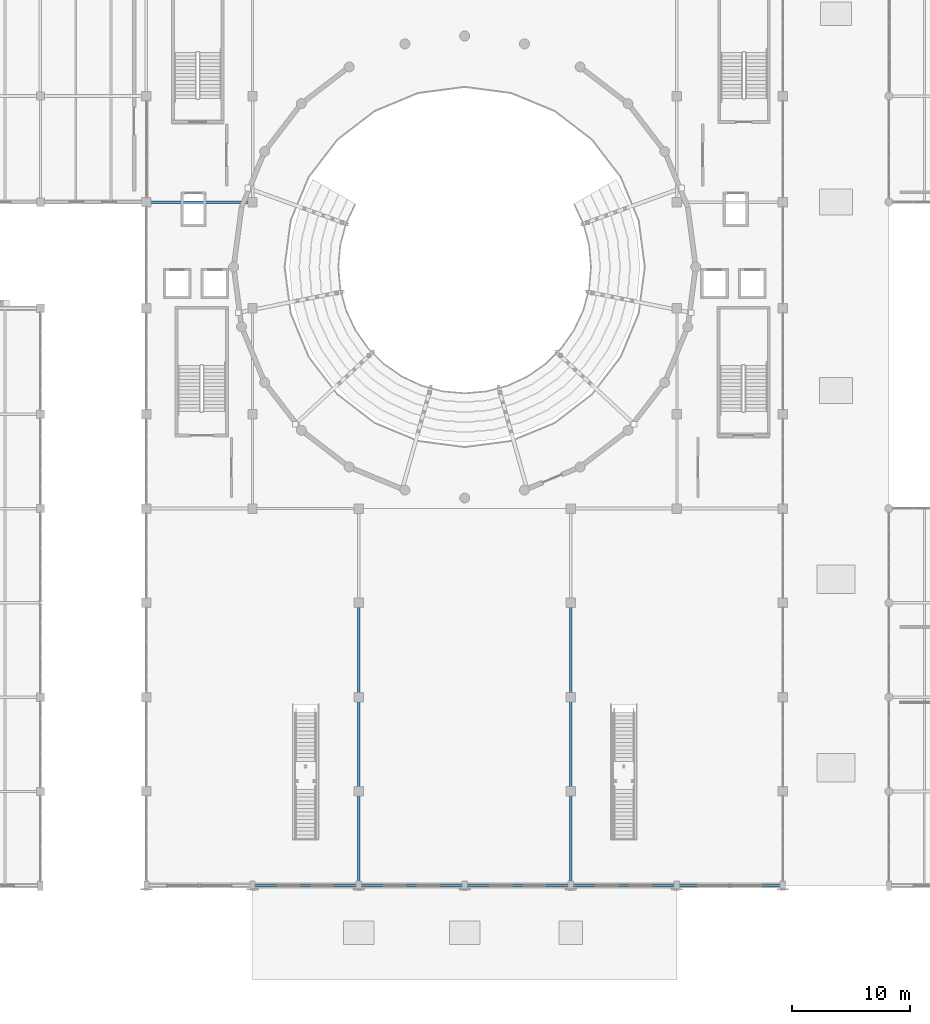
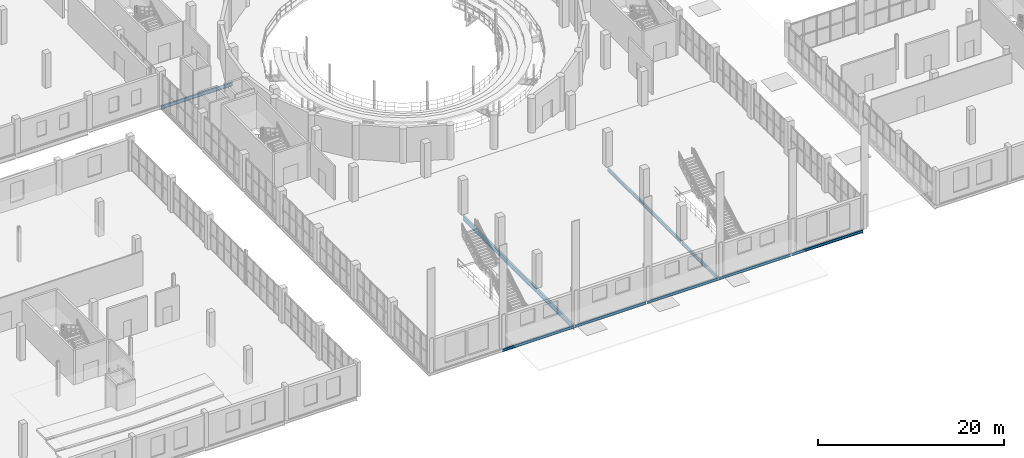
# One storey, part 30 of 93: 12 beams.
"""IFC4 building model written with IfcOpenShell, lengths in metres."""

from ifc_helpers import new_model, si_unit, direction, frame, origin, origin_2d, place, context, subcontext, project, spatial, i_section, extrude, material, material_profile, profile_set, type_object, element, save


model = new_model("IFC4")

# Units and contexts
model_context = context("Model", 3, precision=1e-05, world=origin(), true_north=direction((0.0, 1.0)))
body_context = subcontext(model_context, "Body", "Model", "MODEL_VIEW")
ifc_project = project(units=[si_unit("LENGTHUNIT", "METRE"), si_unit("AREAUNIT", "SQUARE_METRE"), si_unit("VOLUMEUNIT", "CUBIC_METRE"), si_unit("PLANEANGLEUNIT", "RADIAN"), si_unit("MASSUNIT", "GRAM", prefix="KILO")], contexts=[model_context])

# Site, building, storey
site_placement = place(None, origin())
site = spatial("IfcSite", under=ifc_project, at=site_placement, CompositionType="ELEMENT")
building_placement = place(site_placement, origin())
building = spatial("IfcBuilding", under=site, at=building_placement, Name="Marnock Terrace Opera House", CompositionType="ELEMENT")
storey_placement = place(building_placement, frame((0.0, 0.0, 5.39990234375)))
storey = spatial("IfcBuildingStorey", under=building, at=storey_placement, Name="L01", CompositionType="ELEMENT", Elevation=5.39990234375)

# Beams
ifc_material = material(Name="Steel Grade 350 (AS/NZS 3679.1)", Category="steel")
ifc_material_profile_1 = material_profile(ifc_material, i_section(OverallWidth=0.19091796875, OverallDepth=0.46044921875, WebThickness=0.010009765625, FlangeThickness=0.01611328125, FilletRadius=0.011474609375, at=origin_2d()))
ifc_profile_set_1 = profile_set([ifc_material_profile_1], Name="Steel Grade 350 (AS/NZS 3679.1)")
beam_type_1 = type_object("IfcBeamType", Name="BM-GIRD-460A", PredefinedType="BEAM", material=ifc_profile_set_1)
beam_placement = place(storey_placement, frame((55.050048828125, 66.0, -0.510009765625), z_axis=(1.0, 0.0, 0.0), x_axis=(0.0, 1.0, 0.0)))
element("IfcBeam", 1, at=beam_placement, inside=storey, type_object=beam_type_1, Name="L01 girder (55.0..64.0, Y=66.0)", PredefinedType="BEAM", context=body_context, shape_type="SweptSolid", body=[
    extrude(i_section(OverallWidth=0.19091796875, OverallDepth=0.46044921875, WebThickness=0.010009765625, FlangeThickness=0.01611328125, FilletRadius=0.011474609375, at=origin_2d()), origin(), (0.0, 0.0, 1.0), 8.89990234375),
])
ifc_material_profile_2 = material_profile(ifc_material, i_section(OverallWidth=0.18994140625, OverallDepth=0.45751953125, WebThickness=0.009033203125, FlangeThickness=0.014404296875, FilletRadius=0.011474609375, at=origin_2d()))
ifc_profile_set_2 = profile_set([ifc_material_profile_2], Name="Steel Grade 350 (AS/NZS 3679.1)")
beam_type_2 = type_object("IfcBeamType", Name="BM-GIRD-460B", PredefinedType="BEAM", material=ifc_profile_set_2)
for number, where, z_axis, x_axis, name in (
    (2, (91.0, 8.050048828125, -0.508544921875), (0.0, 1.0, 0.0), (-1.0, 0.0, 0.0), "L01 girder (X=91.0, 8.0..16.0)"),
    (3, (91.0, 16.050048828125, -0.508544921875), (0.0, 1.0, 0.0), (-1.0, 0.0, 0.0), "L01 girder (X=91.0, 16.0..24.0)"),
    (4, (91.0, 24.050048828125, -0.508544921875), (0.0, 1.0, 0.0), (-1.0, 0.0, 0.0), "L01 girder (X=91.0, 24.0..32.0)"),
):
    element("IfcBeam", number, at=place(storey_placement, frame(where, z_axis=z_axis, x_axis=x_axis)), inside=storey, type_object=beam_type_2, Name=name, PredefinedType="BEAM", context=body_context, shape_type="SweptSolid", body=[
        extrude(i_section(OverallWidth=0.18994140625, OverallDepth=0.45751953125, WebThickness=0.009033203125, FlangeThickness=0.014404296875, FilletRadius=0.011474609375, at=origin_2d()), origin(), (0.0, 0.0, 1.0), 7.89990234375),
    ])
ifc_material_profile_3 = material_profile(ifc_material, i_section(OverallWidth=0.22802734375, OverallDepth=0.60205078125, WebThickness=0.010498046875, FlangeThickness=0.014892578125, FilletRadius=0.013916015625, at=origin_2d()))
ifc_profile_set_3 = profile_set([ifc_material_profile_3], Name="Steel Grade 350 (AS/NZS 3679.1)")
beam_type_3 = type_object("IfcBeamType", Name="BM-GIRD-610C", PredefinedType="BEAM", material=ifc_profile_set_3)
for number, where, z_axis, x_axis, name in (
    (5, (73.0, 8.050048828125, -0.580810546875), (0.0, 1.0, 0.0), (-1.0, 0.0, 0.0), "L01 girder (X=73.0, 8.0..16.0)"),
    (6, (73.0, 16.050048828125, -0.580810546875), (0.0, 1.0, 0.0), (-1.0, 0.0, 0.0), "L01 girder (X=73.0, 16.0..24.0)"),
    (7, (73.0, 24.050048828125, -0.580810546875), (0.0, 1.0, 0.0), (-1.0, 0.0, 0.0), "L01 girder (X=73.0, 24.0..32.0)"),
):
    element("IfcBeam", number, at=place(storey_placement, frame(where, z_axis=z_axis, x_axis=x_axis)), inside=storey, type_object=beam_type_3, Name=name, PredefinedType="BEAM", context=body_context, shape_type="SweptSolid", body=[
        extrude(i_section(OverallWidth=0.22802734375, OverallDepth=0.60205078125, WebThickness=0.010498046875, FlangeThickness=0.014892578125, FilletRadius=0.013916015625, at=origin_2d()), origin(), (0.0, 0.0, 1.0), 7.89990234375),
    ])
ifc_material_profile_4 = material_profile(ifc_material, i_section(OverallWidth=0.172119140625, OverallDepth=0.358642578125, WebThickness=0.008056640625, FlangeThickness=0.012939453125, FilletRadius=0.011474609375, at=origin_2d()))
ifc_profile_set_4 = profile_set([ifc_material_profile_4], Name="Steel Grade 350 (AS/NZS 3679.1)")
beam_type_4 = type_object("IfcBeamType", Name="BM-SPAN-360", PredefinedType="SPANDREL", material=ifc_profile_set_4)
for number, where, z_axis, x_axis, name in (
    (8, (64.050048828125, 8.0, -0.459228515625), (1.0, 0.0, 0.0), (0.0, 1.0, 0.0), "L01 girder (64.0..73.0, Y=8.0)"),
    (9, (73.050048828125, 8.0, -0.459228515625), (1.0, 0.0, 0.0), (0.0, 1.0, 0.0), "L01 girder (73.0..82.0, Y=8.0)"),
    (10, (82.050048828125, 8.0, -0.459228515625), (1.0, 0.0, 0.0), (0.0, 1.0, 0.0), "L01 girder (82.0..91.0, Y=8.0)"),
    (11, (91.050048828125, 8.0, -0.459228515625), (1.0, 0.0, 0.0), (0.0, 1.0, 0.0), "L01 girder (91.0..100.0, Y=8.0)"),
    (12, (100.050048828125, 8.0, -0.459228515625), (1.0, 0.0, 0.0), (0.0, 1.0, 0.0), "L01 girder (100.0..109.0, Y=8.0)"),
):
    element("IfcBeam", number, at=place(storey_placement, frame(where, z_axis=z_axis, x_axis=x_axis)), inside=storey, type_object=beam_type_4, Name=name, PredefinedType="SPANDREL", context=body_context, shape_type="SweptSolid", body=[
        extrude(i_section(OverallWidth=0.172119140625, OverallDepth=0.358642578125, WebThickness=0.008056640625, FlangeThickness=0.012939453125, FilletRadius=0.011474609375, at=origin_2d()), origin(), (0.0, 0.0, 1.0), 8.89990234375),
    ])

save(model, "model.ifc")
